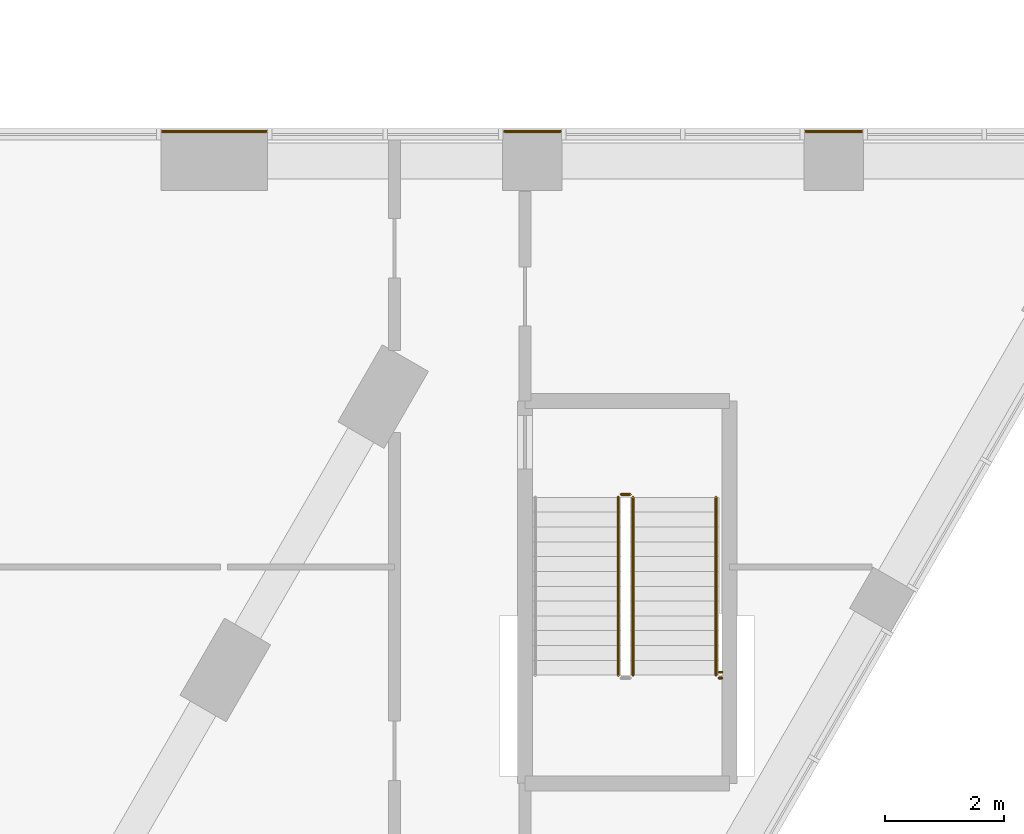
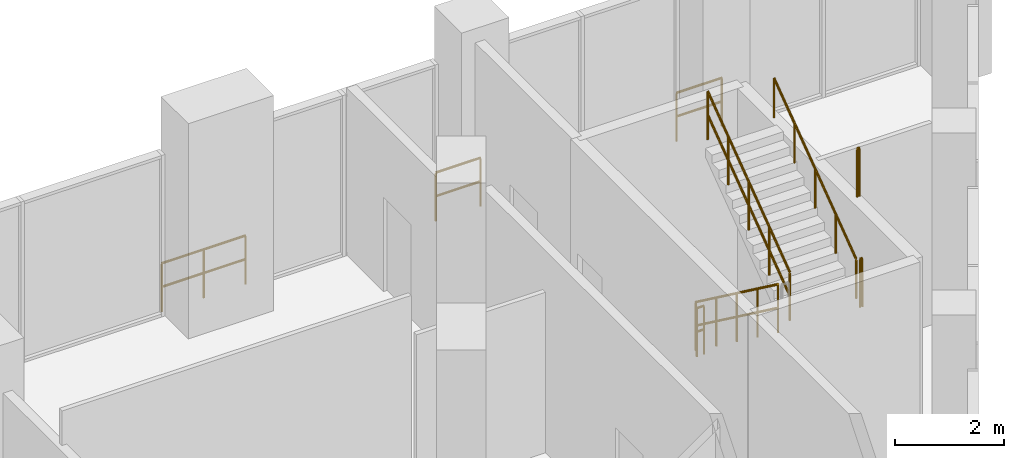
# One storey, part 37 of 45: 9 railings.
"""IFC4 building model written with IfcOpenShell, lengths in metres."""

import ifcopenshell
import ifcopenshell.guid

model = None  # the IFC model being written
_history = None  # IfcOwnerHistory: only IFC2X3 demands one
_inside = {}  # id of a spatial element -> (the spatial element, [elements in it])
_under = {}  # id of a project, library or spatial element -> (it, [spatial elements below it])
_declared = {}  # id of a project -> (the project, [libraries it declares])
_typed = {}  # id of a type object -> (the type object, [elements of that type])
_made_of = {}  # id of a material, layer set ... -> (it, [elements and type objects made of it])


def new_model(schema):
    """Start an empty IFC model of exactly this schema.

    Asked for "IFC4X3", IfcOpenShell would pick the latest addendum, in which some entities
    have other attributes; the version numbers below select the first issue.
    IFC2X3 requires an IfcOwnerHistory on every rooted entity: one is made here for all.
    """
    global model, _history
    if schema == "IFC4X3":
        model = ifcopenshell.file(schema_version=(4, 3, 0, 0))
    else:
        model = ifcopenshell.file(schema=schema)
    _inside.clear()
    _under.clear()
    _declared.clear()
    _typed.clear()
    _made_of.clear()
    _history = None
    if model.schema == "IFC2X3":
        org = make("IfcOrganization", Name="unknown")
        user = make(
            "IfcPersonAndOrganization",
            ThePerson=make("IfcPerson", FamilyName="unknown"),
            TheOrganization=org,
        )
        app = make(
            "IfcApplication",
            ApplicationDeveloper=org,
            Version="unknown",
            ApplicationFullName="unknown",
            ApplicationIdentifier="unknown",
        )
        _history = make(
            "IfcOwnerHistory",
            OwningUser=user,
            OwningApplication=app,
            ChangeAction="ADDED",
            CreationDate=0,
        )
    return model


def make(cls, **values):
    """One entity of the class cls with the attributes given. An attribute that is None is left unset."""
    return model.create_entity(
        cls, **{name: value for name, value in values.items() if value is not None}
    )


def rooted(cls, **values):
    """An entity with a GlobalId (a new one), such as an element, a storey or a relation."""
    return make(cls, GlobalId=ifcopenshell.guid.new(), OwnerHistory=_history, **values)


def si_unit(unit_type, name, prefix=None):
    """IfcSIUnit, for example si_unit("LENGTHUNIT", "METRE", prefix="MILLI")."""
    return make("IfcSIUnit", UnitType=unit_type, Prefix=prefix, Name=name)


def assignment(units):
    """IfcUnitAssignment: the units of a project."""
    return None if units is None else make("IfcUnitAssignment", Units=units)


def point(xyz):
    """IfcCartesianPoint."""
    return None if xyz is None else make("IfcCartesianPoint", Coordinates=xyz)


def direction(xyz):
    """IfcDirection."""
    return None if xyz is None else make("IfcDirection", DirectionRatios=xyz)


def frame(location, z_axis=None, x_axis=None):
    """IfcAxis2Placement3D, a coordinate frame: its origin and axes. An axis left out is left unset."""
    return make(
        "IfcAxis2Placement3D",
        Location=point(location),
        Axis=direction(z_axis),
        RefDirection=direction(x_axis),
    )


def frame_2d(location, x_axis=None):
    """IfcAxis2Placement2D, a coordinate frame in the plane: its origin and x axis."""
    return make(
        "IfcAxis2Placement2D", Location=point(location), RefDirection=direction(x_axis)
    )


def origin():
    """The frame at (0, 0, 0) with its axes left unset."""
    return frame((0.0, 0.0, 0.0))


def origin_2d():
    """The frame at (0, 0) in the plane with its x axis left unset."""
    return frame_2d((0.0, 0.0))


def place(relative_to, where):
    """IfcLocalPlacement: puts the frame where relative to a parent placement (None: the world)."""
    return make(
        "IfcLocalPlacement", PlacementRelTo=relative_to, RelativePlacement=where
    )


def context(
    kind, dimensions, precision=None, world=None, true_north=None, identifier=None
):
    """IfcGeometricRepresentationContext, for example the 3D "Model" context."""
    return make(
        "IfcGeometricRepresentationContext",
        ContextIdentifier=identifier,
        ContextType=kind,
        CoordinateSpaceDimension=dimensions,
        Precision=precision,
        WorldCoordinateSystem=world,
        TrueNorth=true_north,
    )


def subcontext(parent, identifier, kind, view, scale=None):
    """IfcGeometricRepresentationSubContext, for example "Body" below "Model"."""
    return make(
        "IfcGeometricRepresentationSubContext",
        ContextIdentifier=identifier,
        ContextType=kind,
        ParentContext=parent,
        TargetScale=scale,
        TargetView=view,
    )


def project(units=None, contexts=None):
    """IfcProject with its units and contexts."""
    return rooted(
        "IfcProject",
        Name="project",
        RepresentationContexts=contexts,
        UnitsInContext=assignment(units),
    )


def spatial(cls, under=None, at=None, **own):
    """A site, building, storey or space (cls), placed at a placement, below another one or the project."""
    s = rooted(cls, ObjectPlacement=at, **own)
    if under is not None:
        _under.setdefault(under.id(), (under, []))[1].append(s)
    return s


def profile(cls, at=None, kind="AREA", **sizes):
    """A parametric profile (cls). Its sizes go by their IFC names, for example OverallWidth=200.0."""
    return make(cls, ProfileType=kind, Position=at, **sizes)


def circle(**sizes):
    """IfcCircleProfileDef."""
    return profile("IfcCircleProfileDef", **sizes)


def extrude(swept, where, along, depth):
    """IfcExtrudedAreaSolid: the profile swept, set in the frame where, extruded along a direction by depth."""
    return make(
        "IfcExtrudedAreaSolid",
        SweptArea=swept,
        Position=where,
        ExtrudedDirection=direction(along),
        Depth=depth,
    )


def shape(context_of_items, identifier, shape_type, items):
    """IfcShapeRepresentation: the items that make up one representation, for example the "Body"."""
    return make(
        "IfcShapeRepresentation",
        ContextOfItems=context_of_items,
        RepresentationIdentifier=identifier,
        RepresentationType=shape_type,
        Items=items,
    )


def material(Name=None, Category=None):
    """IfcMaterial."""
    return make("IfcMaterial", Name=Name, Category=Category)


def made_of(thing, what):
    """Note that an element or type object is made of a material, layer set ...; save() writes the relation."""
    if what is not None:
        _made_of.setdefault(what.id(), (what, []))[1].append(thing)
    return thing


def type_object(cls, material=None, **own):
    """A type object (cls), such as IfcWallType, which elements share."""
    return made_of(rooted(cls, **own), material)


def element(
    cls,
    number,
    at=None,
    inside=None,
    cuts=None,
    type_object=None,
    material=None,
    context=None,
    identifier="Body",
    shape_type=None,
    held_by="IfcProductDefinitionShape",
    body=None,
    shapes=None,
    **own,
):
    """One element of the class cls, such as IfcWall. Its Tag is "e" and its number.

    at: its placement. inside: the storey or other place that contains it. cuts: it is an
    opening in that element (IfcRelVoidsElement). A single representation is given by context,
    identifier, shape_type and body (its items); several are given by shapes. held_by: the class
    of the entity that holds the representations. save() writes the other relations.
    """
    e = rooted(cls, Tag="e%d" % number, ObjectPlacement=at, **own)
    if body is not None:
        shapes = [shape(context, identifier, shape_type, body)]
    if shapes is not None:
        e.Representation = make(held_by, Representations=shapes)
    if inside is not None:
        _inside.setdefault(inside.id(), (inside, []))[1].append(e)
    if cuts is not None:
        rooted(
            "IfcRelVoidsElement", RelatingBuildingElement=cuts, RelatedOpeningElement=e
        )
    if type_object is not None:
        _typed.setdefault(type_object.id(), (type_object, []))[1].append(e)
    return made_of(e, material)


def aggregate(whole, parts):
    """IfcRelAggregates: a whole, such as a stair, and the parts it consists of."""
    return rooted("IfcRelAggregates", RelatingObject=whole, RelatedObjects=parts)


def save(model, path):
    """Write the relations noted so far, then the file.

    IfcRelAggregates (storeys below a building ...), IfcRelContainedInSpatialStructure (elements
    in a storey), IfcRelDefinesByType, IfcRelAssociatesMaterial and IfcRelDeclares: one each for
    every whole, place, type object, material and project.
    """
    for whole, parts in _under.values():
        aggregate(whole, parts)
    for where, things in _inside.values():
        rooted(
            "IfcRelContainedInSpatialStructure",
            RelatedElements=things,
            RelatingStructure=where,
        )
    for kind, things in _typed.values():
        rooted("IfcRelDefinesByType", RelatedObjects=things, RelatingType=kind)
    for what, things in _made_of.values():
        rooted("IfcRelAssociatesMaterial", RelatedObjects=things, RelatingMaterial=what)
    for by, libraries in _declared.values():
        rooted("IfcRelDeclares", RelatingContext=by, RelatedDefinitions=libraries)
    model.write(path)


model = new_model("IFC4")

# Units and contexts
model_context = context("Model", 3, precision=1e-05, world=origin(), true_north=direction((0.0, 1.0)))
body_context = subcontext(model_context, "Body", "Model", "MODEL_VIEW")
ifc_project = project(units=[si_unit("LENGTHUNIT", "METRE"), si_unit("AREAUNIT", "SQUARE_METRE"), si_unit("VOLUMEUNIT", "CUBIC_METRE"), si_unit("PLANEANGLEUNIT", "RADIAN"), si_unit("MASSUNIT", "GRAM", prefix="KILO")], contexts=[model_context])

# Site, building, storey
site_placement = place(None, origin())
site = spatial("IfcSite", under=ifc_project, at=site_placement, CompositionType="ELEMENT")
building_placement = place(site_placement, origin())
building = spatial("IfcBuilding", under=site, at=building_placement, Name="Nakaniwa Court", CompositionType="ELEMENT")
storey_placement = place(building_placement, frame((0.0, 0.0, 6.60009765625)))
storey = spatial("IfcBuildingStorey", under=building, at=storey_placement, Name="L01", CompositionType="ELEMENT", Elevation=6.60009765625)

# Railings
ifc_material_1 = material(Name="Black powder coated steel guard", Category="steel")
railing_type_1 = type_object("IfcRailingType", Name="Stair guard 1100", PredefinedType="GUARDRAIL", material=ifc_material_1)
railing_1_placement = place(storey_placement, frame((104.27490234375, 66.375, 0.1845703125)))
element("IfcRailing", 1, at=railing_1_placement, inside=storey, type_object=railing_type_1, Name="L01 SS3 stair guard 1", PredefinedType="GUARDRAIL", context=body_context, shape_type="SweptSolid", body=[
    extrude(circle(Radius=0.02392578125, at=origin_2d()), frame((0.0, 0.0, 1.076171875), z_axis=(0.0, -0.804440004972, 0.594033903411), x_axis=(1.0, 0.0, 0.0)), (0.0, 0.0, 1.0), 3.729248046875),
    extrude(circle(Radius=0.02392578125, at=origin_2d()), frame((0.0, 0.0, 0.550048828125), z_axis=(0.0, -0.804440004972, 0.594033903411), x_axis=(1.0, 0.0, 0.0)), (0.0, 0.0, 1.0), 3.729248046875),
    extrude(circle(Radius=0.02099609375, at=origin_2d()), origin(), (0.0, 0.0, 1.0), 1.052001953125),
    extrude(circle(Radius=0.02099609375, at=origin_2d()), frame((0.0, -0.75, 0.5537109375)), (0.0, 0.0, 1.0), 1.052001953125),
    extrude(circle(Radius=0.02099609375, at=origin_2d()), frame((0.0, -1.5, 1.107666015625)), (0.0, 0.0, 1.0), 1.052001953125),
    extrude(circle(Radius=0.02099609375, at=origin_2d()), frame((0.0, -2.25, 1.66162109375)), (0.0, 0.0, 1.0), 1.052001953125),
    extrude(circle(Radius=0.02099609375, at=origin_2d()), frame((0.0, -3.0, 2.21533203125)), (0.0, 0.0, 1.0), 1.052001953125),
])
railing_2_placement = place(storey_placement, frame((104.52490234375, 63.375, 2.58447265625)))
element("IfcRailing", 2, at=railing_2_placement, inside=storey, type_object=railing_type_1, Name="L01 SS3 stair guard 3", PredefinedType="GUARDRAIL", context=body_context, shape_type="SweptSolid", body=[
    extrude(circle(Radius=0.02392578125, at=origin_2d()), frame((0.0, 0.0, 1.076171875), z_axis=(0.0, 0.804440004972, 0.594033903411), x_axis=(-1.0, 0.0, 0.0)), (0.0, 0.0, 1.0), 3.729248046875),
    extrude(circle(Radius=0.02392578125, at=origin_2d()), frame((0.0, 0.0, 0.550048828125), z_axis=(0.0, 0.804440004972, 0.594033903411), x_axis=(-1.0, 0.0, 0.0)), (0.0, 0.0, 1.0), 3.729248046875),
    extrude(circle(Radius=0.02099609375, at=origin_2d()), origin(), (0.0, 0.0, 1.0), 1.052001953125),
    extrude(circle(Radius=0.02099609375, at=origin_2d()), frame((0.0, 0.75, 0.5537109375)), (0.0, 0.0, 1.0), 1.052001953125),
    extrude(circle(Radius=0.02099609375, at=origin_2d()), frame((0.0, 1.5, 1.107666015625)), (0.0, 0.0, 1.0), 1.052001953125),
    extrude(circle(Radius=0.02099609375, at=origin_2d()), frame((0.0, 2.25, 1.66162109375)), (0.0, 0.0, 1.0), 1.052001953125),
    extrude(circle(Radius=0.02099609375, at=origin_2d()), frame((0.0, 3.0, 2.21533203125)), (0.0, 0.0, 1.0), 1.052001953125),
])
railing_3_placement = place(storey_placement, frame((104.324951171875, 66.425048828125, 0.0)))
element("IfcRailing", 3, at=railing_3_placement, inside=storey, type_object=railing_type_1, Name="L01 SS3 stair guard 4", PredefinedType="GUARDRAIL", context=body_context, shape_type="SweptSolid", body=[
    extrude(circle(Radius=0.02392578125, at=origin_2d()), frame((0.0, 0.0, 1.076171875), z_axis=(1.0, 0.0, 0.0), x_axis=(0.0, 1.0, 0.0)), (0.0, 0.0, 1.0), 0.150146484375),
    extrude(circle(Radius=0.02392578125, at=origin_2d()), frame((0.0, 0.0, 0.550048828125), z_axis=(1.0, 0.0, 0.0), x_axis=(0.0, 1.0, 0.0)), (0.0, 0.0, 1.0), 0.150146484375),
    extrude(circle(Radius=0.02099609375, at=origin_2d()), origin(), (0.0, 0.0, 1.0), 1.052001953125),
    extrude(circle(Radius=0.02099609375, at=origin_2d()), frame((0.150146484375, 0.0, 0.0)), (0.0, 0.0, 1.0), 1.052001953125),
])
for number, where, name in (
    (4, (105.97509765625, 63.324951171875, 2.39990234375), "L01 SS3 landing side guard 1E"),
    (5, (105.97509765625, 63.425048828125, 4.7998046875), "L01 SS3 floor edge guard 1E"),
):
    element("IfcRailing", number, at=place(storey_placement, frame(where)), inside=storey, type_object=railing_type_1, Name=name, PredefinedType="GUARDRAIL", context=body_context, shape_type="SweptSolid", body=[
        extrude(circle(Radius=0.02392578125, at=origin_2d()), frame((0.0, 0.0, 1.076171875), z_axis=(1.0, 0.0, 0.0), x_axis=(0.0, 1.0, 0.0)), (0.0, 0.0, 1.0), 0.0498046875),
        extrude(circle(Radius=0.02392578125, at=origin_2d()), frame((0.0, 0.0, 0.550048828125), z_axis=(1.0, 0.0, 0.0), x_axis=(0.0, 1.0, 0.0)), (0.0, 0.0, 1.0), 0.0498046875),
        extrude(circle(Radius=0.02099609375, at=origin_2d()), origin(), (0.0, 0.0, 1.0), 1.052001953125),
        extrude(circle(Radius=0.02099609375, at=origin_2d()), frame((0.0498046875, 0.0, 0.0)), (0.0, 0.0, 1.0), 1.052001953125),
    ])
railing_4_placement = place(storey_placement, frame((96.573974609375, 72.550048828125, 0.0)))
element("IfcRailing", 6, at=railing_4_placement, inside=storey, type_object=railing_type_1, Name="GUARD GD-L01-007", PredefinedType="GUARDRAIL", context=body_context, shape_type="SweptSolid", body=[
    extrude(circle(Radius=0.02392578125, at=origin_2d()), frame((0.0, 0.0, 1.076171875), z_axis=(1.0, 0.0, 0.0), x_axis=(0.0, 1.0, 0.0)), (0.0, 0.0, 1.0), 1.768310546875),
    extrude(circle(Radius=0.02392578125, at=origin_2d()), frame((0.0, 0.0, 0.550048828125), z_axis=(1.0, 0.0, 0.0), x_axis=(0.0, 1.0, 0.0)), (0.0, 0.0, 1.0), 1.768310546875),
    extrude(circle(Radius=0.02099609375, at=origin_2d()), origin(), (0.0, 0.0, 1.0), 1.052001953125),
    extrude(circle(Radius=0.02099609375, at=origin_2d()), frame((0.88427734375, 0.0, 0.0)), (0.0, 0.0, 1.0), 1.052001953125),
    extrude(circle(Radius=0.02099609375, at=origin_2d()), frame((1.768310546875, 0.0, 0.0)), (0.0, 0.0, 1.0), 1.052001953125),
])
railing_5_placement = place(storey_placement, frame((102.356689453125, 72.550048828125, 0.0)))
element("IfcRailing", 7, at=railing_5_placement, inside=storey, type_object=railing_type_1, Name="GUARD GD-L01-008", PredefinedType="GUARDRAIL", context=body_context, shape_type="SweptSolid", body=[
    extrude(circle(Radius=0.02392578125, at=origin_2d()), frame((0.0, 0.0, 1.076171875), z_axis=(1.0, 0.0, 0.0), x_axis=(0.0, 1.0, 0.0)), (0.0, 0.0, 1.0), 0.939453125),
    extrude(circle(Radius=0.02392578125, at=origin_2d()), frame((0.0, 0.0, 0.550048828125), z_axis=(1.0, 0.0, 0.0), x_axis=(0.0, 1.0, 0.0)), (0.0, 0.0, 1.0), 0.939453125),
    extrude(circle(Radius=0.02099609375, at=origin_2d()), origin(), (0.0, 0.0, 1.0), 1.052001953125),
    extrude(circle(Radius=0.02099609375, at=origin_2d()), frame((0.939453125, 0.0, 0.0)), (0.0, 0.0, 1.0), 1.052001953125),
])
railing_6_placement = place(storey_placement, frame((107.430419921875, 72.550048828125, 0.0)))
element("IfcRailing", 8, at=railing_6_placement, inside=storey, type_object=railing_type_1, Name="GUARD GD-L01-009", PredefinedType="GUARDRAIL", context=body_context, shape_type="SweptSolid", body=[
    extrude(circle(Radius=0.02392578125, at=origin_2d()), frame((0.0, 0.0, 1.076171875), z_axis=(1.0, 0.0, 0.0), x_axis=(0.0, 1.0, 0.0)), (0.0, 0.0, 1.0), 0.95947265625),
    extrude(circle(Radius=0.02392578125, at=origin_2d()), frame((0.0, 0.0, 0.550048828125), z_axis=(1.0, 0.0, 0.0), x_axis=(0.0, 1.0, 0.0)), (0.0, 0.0, 1.0), 0.95947265625),
    extrude(circle(Radius=0.02099609375, at=origin_2d()), origin(), (0.0, 0.0, 1.0), 1.052001953125),
    extrude(circle(Radius=0.02099609375, at=origin_2d()), frame((0.95947265625, 0.0, 0.0)), (0.0, 0.0, 1.0), 1.052001953125),
])
ifc_material_2 = material(Name="Black powder coated steel handrail", Category="steel")
railing_type_2 = type_object("IfcRailingType", Name="Stair handrail 900", PredefinedType="HANDRAIL", material=ifc_material_2)
railing_7_placement = place(storey_placement, frame((105.925048828125, 63.375, 2.58447265625)))
element("IfcRailing", 9, at=railing_7_placement, inside=storey, type_object=railing_type_2, Name="L01 SS3 stair handrail 2", PredefinedType="HANDRAIL", context=body_context, shape_type="SweptSolid", body=[
    extrude(circle(Radius=0.02392578125, at=origin_2d()), frame((0.0, 0.0, 0.8759765625), z_axis=(0.0, 0.804440004972, 0.594033903411), x_axis=(-1.0, 0.0, 0.0)), (0.0, 0.0, 1.0), 3.729248046875),
    extrude(circle(Radius=0.02099609375, at=origin_2d()), origin(), (0.0, 0.0, 1.0), 0.851806640625),
    extrude(circle(Radius=0.02099609375, at=origin_2d()), frame((0.0, 0.75, 0.5537109375)), (0.0, 0.0, 1.0), 0.851806640625),
    extrude(circle(Radius=0.02099609375, at=origin_2d()), frame((0.0, 1.5, 1.107666015625)), (0.0, 0.0, 1.0), 0.851806640625),
    extrude(circle(Radius=0.02099609375, at=origin_2d()), frame((0.0, 2.25, 1.66162109375)), (0.0, 0.0, 1.0), 0.851806640625),
    extrude(circle(Radius=0.02099609375, at=origin_2d()), frame((0.0, 3.0, 2.21533203125)), (0.0, 0.0, 1.0), 0.851806640625),
])

save(model, "model.ifc")
